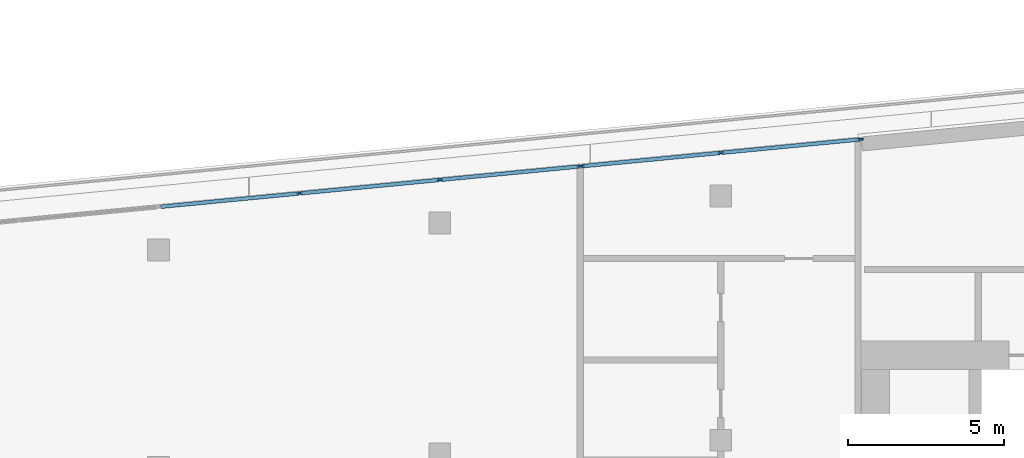
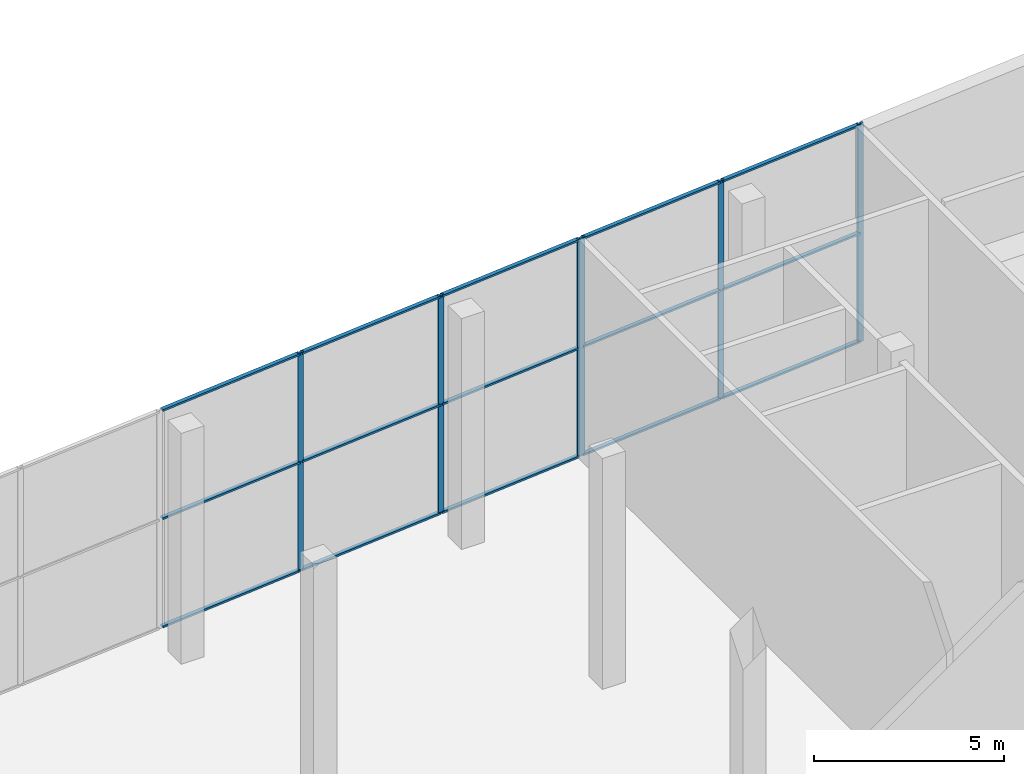
# One storey, part 6 of 25: 21 members, 2 elements without a shape of their own.
"""IFC4 building model written with IfcOpenShell, lengths in metres."""

from ifc_helpers import new_model, si_unit, direction, frame, origin, origin_2d, place, context, subcontext, project, spatial, rectangle, extrude, material, material_profile, profile_set, type_object, element, aggregate, save


model = new_model("IFC4")

# Units and contexts
model_context = context("Model", 3, precision=1e-05, world=origin(), true_north=direction((0.0, 1.0)))
body_context = subcontext(model_context, "Body", "Model", "MODEL_VIEW")
ifc_project = project(units=[si_unit("LENGTHUNIT", "METRE"), si_unit("AREAUNIT", "SQUARE_METRE"), si_unit("VOLUMEUNIT", "CUBIC_METRE"), si_unit("PLANEANGLEUNIT", "RADIAN"), si_unit("MASSUNIT", "GRAM", prefix="KILO")], contexts=[model_context])

# Site, building, storey
site_placement = place(None, origin())
site = spatial("IfcSite", under=ifc_project, at=site_placement, CompositionType="ELEMENT")
building_placement = place(site_placement, origin())
building = spatial("IfcBuilding", under=site, at=building_placement, Name="Kajstack Hotel Tower", CompositionType="ELEMENT")
storey_placement = place(building_placement, frame((0.0, 0.0, 155.0)))
storey = spatial("IfcBuildingStorey", under=building, at=storey_placement, Name="L36", CompositionType="ELEMENT", Elevation=155.0)

# Curtain wall, members
ifc_material_1 = material(Name="Aluminium-framed curtain wall, insulated glass with fritted edge", Category="aluminium")
curtain_wall_type = type_object("IfcCurtainWallType", Name="CW-SPA", PredefinedType="NOTDEFINED", material=ifc_material_1)
curtain_wall_1_placement = place(storey_placement, origin())
curtain_wall_1 = element("IfcCurtainWall", 1, at=curtain_wall_1_placement, inside=storey, type_object=curtain_wall_type, Name="Curtain wall CU7 L36-12-02-0", PredefinedType="NOTDEFINED")
ifc_material_2 = material(Name="Aluminium", Category="aluminium")
ifc_material_profile_1 = material_profile(ifc_material_2, rectangle(XDim=0.06005859375, YDim=0.179931640625, at=origin_2d()), Name="Aluminium mullion 60 x 180")
ifc_profile_set_1 = profile_set([ifc_material_profile_1], Name="Aluminium")
member_type_1 = type_object("IfcMemberType", Name="CW-M-SPA", PredefinedType="MULLION", material=ifc_profile_set_1)
member_1_placement = place(storey_placement, frame((13.477294921875, 21.9638671875, 0.0), z_axis=(0.0, 0.0, 1.0), x_axis=(0.095845332373, -0.995396238823, 0.0)))
member_1 = element("IfcMember", 2, at=member_1_placement, type_object=member_type_1, Name="CU7 mullion 1", PredefinedType="MULLION", context=body_context, shape_type="SweptSolid", body=[
    extrude(rectangle(XDim=0.06005859375, YDim=0.179931640625, at=origin_2d()), origin(), (0.0, 0.0, 1.0), 7.0),
])
member_2_placement = place(storey_placement, frame((9.007080078125, 21.533447265625, 0.0), z_axis=(0.0, 0.0, 1.0), x_axis=(0.095845332373, -0.995396238823, 0.0)))
member_2 = element("IfcMember", 3, at=member_2_placement, type_object=member_type_1, Name="CU7 mullion 2", PredefinedType="MULLION", context=body_context, shape_type="SweptSolid", body=[
    extrude(rectangle(XDim=0.06005859375, YDim=0.179931640625, at=origin_2d()), origin(), (0.0, 0.0, 1.0), 7.0),
])
member_3_placement = place(storey_placement, frame((4.537109375, 21.10302734375, 0.0), z_axis=(0.0, 0.0, 1.0), x_axis=(0.095845332373, -0.995396238823, 0.0)))
member_3 = element("IfcMember", 4, at=member_3_placement, type_object=member_type_1, Name="CU7 mullion 3", PredefinedType="MULLION", context=body_context, shape_type="SweptSolid", body=[
    extrude(rectangle(XDim=0.06005859375, YDim=0.179931640625, at=origin_2d()), origin(), (0.0, 0.0, 1.0), 7.0),
])

curtain_wall_2_placement = place(storey_placement, origin())
curtain_wall_2 = element("IfcCurtainWall", 5, at=curtain_wall_2_placement, inside=storey, type_object=curtain_wall_type, Name="Curtain wall CU7 L36-12-02-1", PredefinedType="NOTDEFINED")
member_4_placement = place(storey_placement, frame((4.477294921875, 21.097412109375, 0.0), z_axis=(0.0, 0.0, 1.0), x_axis=(0.095845372418, -0.995396234967, 0.0)))
member_4 = element("IfcMember", 6, at=member_4_placement, type_object=member_type_1, Name="CU7 mullion 1", PredefinedType="MULLION", context=body_context, shape_type="SweptSolid", body=[
    extrude(rectangle(XDim=0.06005859375, YDim=0.179931640625, at=origin_2d()), origin(), (0.0, 0.0, 1.0), 7.0),
])
member_5_placement = place(storey_placement, frame((0.007080078125, 20.6669921875, 0.0), z_axis=(0.0, 0.0, 1.0), x_axis=(0.095845372418, -0.995396234967, 0.0)))
member_5 = element("IfcMember", 7, at=member_5_placement, type_object=member_type_1, Name="CU7 mullion 2", PredefinedType="MULLION", context=body_context, shape_type="SweptSolid", body=[
    extrude(rectangle(XDim=0.06005859375, YDim=0.179931640625, at=origin_2d()), origin(), (0.0, 0.0, 1.0), 7.0),
])
member_6_placement = place(storey_placement, frame((-4.49267578125, 20.233642578125, 0.0), z_axis=(0.0, 0.0, 1.0), x_axis=(0.095845372418, -0.995396234967, 0.0)))
member_6 = element("IfcMember", 8, at=member_6_placement, type_object=member_type_1, Name="CU7 mullion 3", PredefinedType="MULLION", context=body_context, shape_type="SweptSolid", body=[
    extrude(rectangle(XDim=0.06005859375, YDim=0.179931640625, at=origin_2d()), origin(), (0.0, 0.0, 1.0), 7.0),
])

# Member
ifc_material_profile_2 = material_profile(ifc_material_2, rectangle(XDim=0.1201171875, YDim=0.06005859375, at=origin_2d()), Name="Aluminium transom 120 x 60")
ifc_profile_set_2 = profile_set([ifc_material_profile_2], Name="Aluminium")
member_type_2 = type_object("IfcMemberType", Name="CW-T-SPA", PredefinedType="USERDEFINED", material=ifc_profile_set_2)
member_7_placement = place(storey_placement, frame((13.447509765625, 21.9609375, 0.030029296875), z_axis=(-0.995398624916, -0.095820548504, 0.0), x_axis=(0.095820548504, -0.995398624916, 0.0)))
member_7 = element("IfcMember", 9, at=member_7_placement, type_object=member_type_2, Name="CU7 transom 1.1", ObjectType="TRANSOM", PredefinedType="USERDEFINED", context=body_context, shape_type="SweptSolid", body=[
    extrude(rectangle(XDim=0.1201171875, YDim=0.06005859375, at=origin_2d()), origin(), (0.0, 0.0, 1.0), 4.430908203125),
])

member_8_placement = place(storey_placement, frame((13.447509765625, 21.9609375, 3.5), z_axis=(-0.995398624916, -0.095820548504, 0.0), x_axis=(0.095820548504, -0.995398624916, 0.0)))
member_8 = element("IfcMember", 10, at=member_8_placement, type_object=member_type_2, Name="CU7 transom 1.2", ObjectType="TRANSOM", PredefinedType="USERDEFINED", context=body_context, shape_type="SweptSolid", body=[
    extrude(rectangle(XDim=0.1201171875, YDim=0.06005859375, at=origin_2d()), origin(), (0.0, 0.0, 1.0), 4.430908203125),
])

member_9_placement = place(storey_placement, frame((13.447509765625, 21.9609375, 6.969970703125), z_axis=(-0.995398624916, -0.095820548504, 0.0), x_axis=(0.095820548504, -0.995398624916, 0.0)))
member_9 = element("IfcMember", 11, at=member_9_placement, type_object=member_type_2, Name="CU7 transom 1.3", ObjectType="TRANSOM", PredefinedType="USERDEFINED", context=body_context, shape_type="SweptSolid", body=[
    extrude(rectangle(XDim=0.1201171875, YDim=0.06005859375, at=origin_2d()), origin(), (0.0, 0.0, 1.0), 4.430908203125),
])

member_10_placement = place(storey_placement, frame((8.977294921875, 21.530517578125, 0.030029296875), z_axis=(-0.995398624916, -0.095820548504, 0.0), x_axis=(0.095820548504, -0.995398624916, 0.0)))
member_10 = element("IfcMember", 12, at=member_10_placement, type_object=member_type_2, Name="CU7 transom 2.1", ObjectType="TRANSOM", PredefinedType="USERDEFINED", context=body_context, shape_type="SweptSolid", body=[
    extrude(rectangle(XDim=0.1201171875, YDim=0.06005859375, at=origin_2d()), origin(), (0.0, 0.0, 1.0), 4.430908203125),
])

member_11_placement = place(storey_placement, frame((8.977294921875, 21.530517578125, 3.5), z_axis=(-0.995398624916, -0.095820548504, 0.0), x_axis=(0.095820548504, -0.995398624916, 0.0)))
member_11 = element("IfcMember", 13, at=member_11_placement, type_object=member_type_2, Name="CU7 transom 2.2", ObjectType="TRANSOM", PredefinedType="USERDEFINED", context=body_context, shape_type="SweptSolid", body=[
    extrude(rectangle(XDim=0.1201171875, YDim=0.06005859375, at=origin_2d()), origin(), (0.0, 0.0, 1.0), 4.430908203125),
])

member_12_placement = place(storey_placement, frame((8.977294921875, 21.530517578125, 6.969970703125), z_axis=(-0.995398624916, -0.095820548504, 0.0), x_axis=(0.095820548504, -0.995398624916, 0.0)))
member_12 = element("IfcMember", 14, at=member_12_placement, type_object=member_type_2, Name="CU7 transom 2.3", ObjectType="TRANSOM", PredefinedType="USERDEFINED", context=body_context, shape_type="SweptSolid", body=[
    extrude(rectangle(XDim=0.1201171875, YDim=0.06005859375, at=origin_2d()), origin(), (0.0, 0.0, 1.0), 4.430908203125),
])

aggregate(curtain_wall_1, [member_1, member_2, member_3, member_7, member_8, member_9, member_10, member_11, member_12])

member_13_placement = place(storey_placement, frame((4.447509765625, 21.094482421875, 0.030029296875), z_axis=(-0.995393367938, -0.095875143106, 0.0), x_axis=(0.095875143106, -0.995393367938, 0.0)))
member_13 = element("IfcMember", 15, at=member_13_placement, type_object=member_type_2, Name="CU7 transom 1.1", ObjectType="TRANSOM", PredefinedType="USERDEFINED", context=body_context, shape_type="SweptSolid", body=[
    extrude(rectangle(XDim=0.1201171875, YDim=0.06005859375, at=origin_2d()), origin(), (0.0, 0.0, 1.0), 4.430908203125),
])

member_14_placement = place(storey_placement, frame((4.447509765625, 21.094482421875, 3.5), z_axis=(-0.995393367938, -0.095875143106, 0.0), x_axis=(0.095875143106, -0.995393367938, 0.0)))
member_14 = element("IfcMember", 16, at=member_14_placement, type_object=member_type_2, Name="CU7 transom 1.2", ObjectType="TRANSOM", PredefinedType="USERDEFINED", context=body_context, shape_type="SweptSolid", body=[
    extrude(rectangle(XDim=0.1201171875, YDim=0.06005859375, at=origin_2d()), origin(), (0.0, 0.0, 1.0), 4.430908203125),
])

member_15_placement = place(storey_placement, frame((4.447509765625, 21.094482421875, 6.969970703125), z_axis=(-0.995393367938, -0.095875143106, 0.0), x_axis=(0.095875143106, -0.995393367938, 0.0)))
member_15 = element("IfcMember", 17, at=member_15_placement, type_object=member_type_2, Name="CU7 transom 1.3", ObjectType="TRANSOM", PredefinedType="USERDEFINED", context=body_context, shape_type="SweptSolid", body=[
    extrude(rectangle(XDim=0.1201171875, YDim=0.06005859375, at=origin_2d()), origin(), (0.0, 0.0, 1.0), 4.430908203125),
])

member_16_placement = place(storey_placement, frame((-0.022705078125, 20.6640625, 0.030029296875), z_axis=(-0.995397289199, -0.095834423126, 0.0), x_axis=(0.095834423126, -0.995397289199, 0.0)))
member_16 = element("IfcMember", 18, at=member_16_placement, type_object=member_type_2, Name="CU7 transom 2.1", ObjectType="TRANSOM", PredefinedType="USERDEFINED", context=body_context, shape_type="SweptSolid", body=[
    extrude(rectangle(XDim=0.1201171875, YDim=0.06005859375, at=origin_2d()), origin(), (0.0, 0.0, 1.0), 4.460693359375),
])

member_17_placement = place(storey_placement, frame((-0.022705078125, 20.6640625, 3.5), z_axis=(-0.995397289199, -0.095834423126, 0.0), x_axis=(0.095834423126, -0.995397289199, 0.0)))
member_17 = element("IfcMember", 19, at=member_17_placement, type_object=member_type_2, Name="CU7 transom 2.2", ObjectType="TRANSOM", PredefinedType="USERDEFINED", context=body_context, shape_type="SweptSolid", body=[
    extrude(rectangle(XDim=0.1201171875, YDim=0.06005859375, at=origin_2d()), origin(), (0.0, 0.0, 1.0), 4.460693359375),
])

member_18_placement = place(storey_placement, frame((-0.022705078125, 20.6640625, 6.969970703125), z_axis=(-0.995397289199, -0.095834423126, 0.0), x_axis=(0.095834423126, -0.995397289199, 0.0)))
member_18 = element("IfcMember", 20, at=member_18_placement, type_object=member_type_2, Name="CU7 transom 2.3", ObjectType="TRANSOM", PredefinedType="USERDEFINED", context=body_context, shape_type="SweptSolid", body=[
    extrude(rectangle(XDim=0.1201171875, YDim=0.06005859375, at=origin_2d()), origin(), (0.0, 0.0, 1.0), 4.460693359375),
])

member_19_placement = place(storey_placement, frame((-4.522705078125, 20.230712890625, 0.030029296875), z_axis=(-0.995398624916, -0.095820548504, 0.0), x_axis=(0.095820548504, -0.995398624916, 0.0)))
member_19 = element("IfcMember", 21, at=member_19_placement, type_object=member_type_2, Name="CU7 transom 3.1", ObjectType="TRANSOM", PredefinedType="USERDEFINED", context=body_context, shape_type="SweptSolid", body=[
    extrude(rectangle(XDim=0.1201171875, YDim=0.06005859375, at=origin_2d()), origin(), (0.0, 0.0, 1.0), 4.430908203125),
])

member_20_placement = place(storey_placement, frame((-4.522705078125, 20.230712890625, 3.5), z_axis=(-0.995398624916, -0.095820548504, 0.0), x_axis=(0.095820548504, -0.995398624916, 0.0)))
member_20 = element("IfcMember", 22, at=member_20_placement, type_object=member_type_2, Name="CU7 transom 3.2", ObjectType="TRANSOM", PredefinedType="USERDEFINED", context=body_context, shape_type="SweptSolid", body=[
    extrude(rectangle(XDim=0.1201171875, YDim=0.06005859375, at=origin_2d()), origin(), (0.0, 0.0, 1.0), 4.430908203125),
])

member_21_placement = place(storey_placement, frame((-4.522705078125, 20.230712890625, 6.969970703125), z_axis=(-0.995398624916, -0.095820548504, 0.0), x_axis=(0.095820548504, -0.995398624916, 0.0)))
member_21 = element("IfcMember", 23, at=member_21_placement, type_object=member_type_2, Name="CU7 transom 3.3", ObjectType="TRANSOM", PredefinedType="USERDEFINED", context=body_context, shape_type="SweptSolid", body=[
    extrude(rectangle(XDim=0.1201171875, YDim=0.06005859375, at=origin_2d()), origin(), (0.0, 0.0, 1.0), 4.430908203125),
])

aggregate(curtain_wall_2, [member_4, member_5, member_6, member_13, member_14, member_15, member_16, member_17, member_18, member_19, member_20, member_21])

save(model, "model.ifc")
